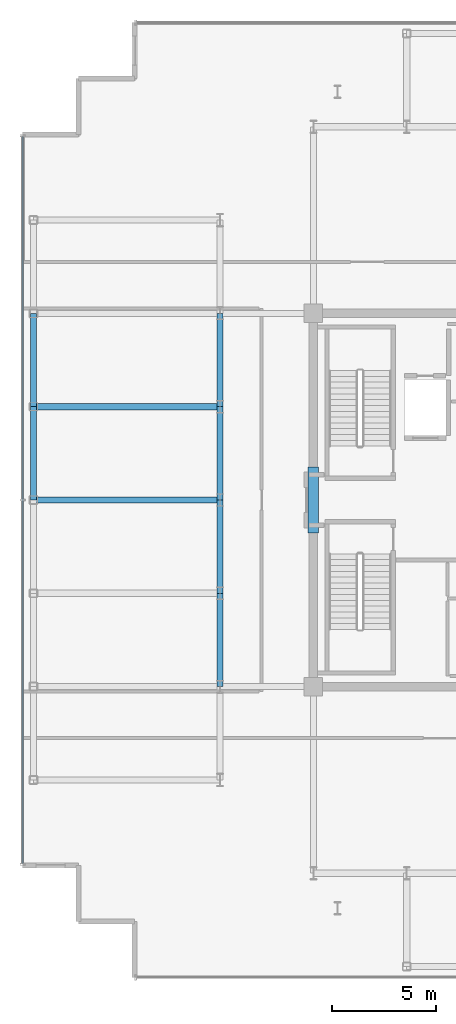
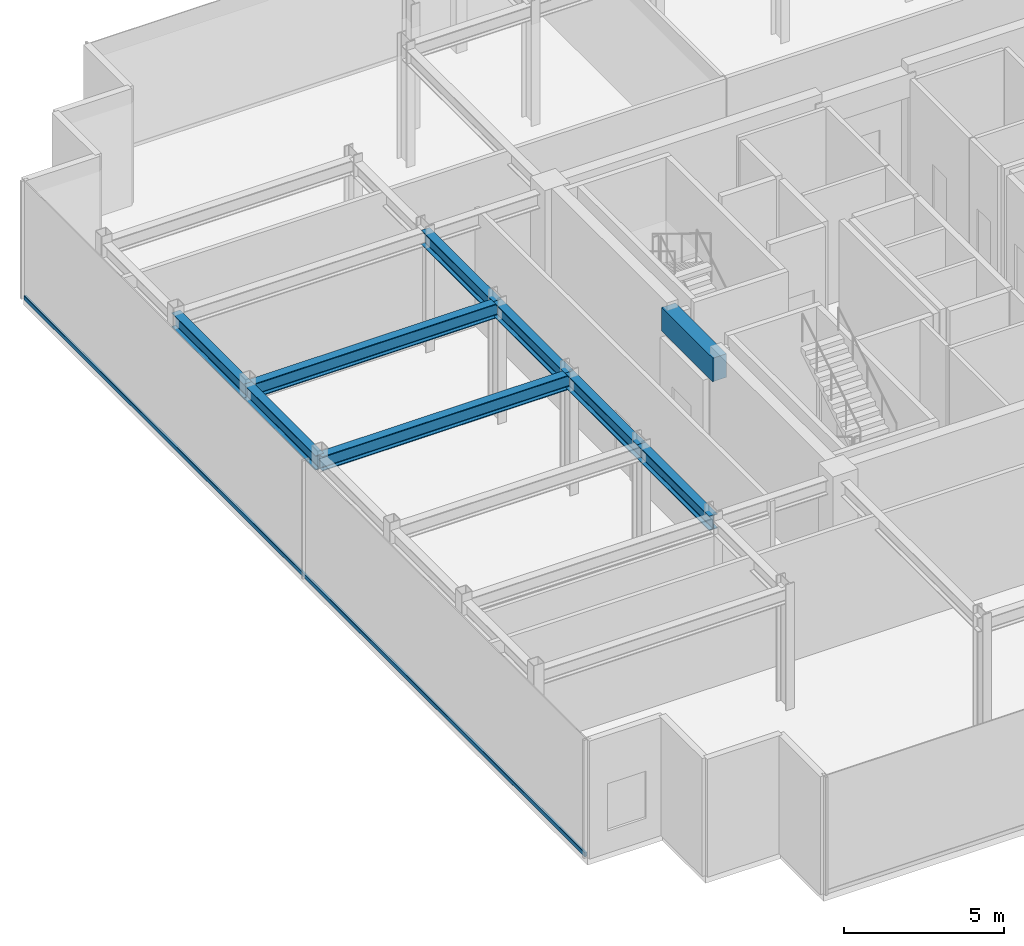
# One storey, part 5 of 17: 9 beams, 1 member, 1 element without a shape of its own.
"""IFC4 building model written with IfcOpenShell, lengths in metres."""

import ifcopenshell
import ifcopenshell.guid

model = None  # the IFC model being written
_history = None  # IfcOwnerHistory: only IFC2X3 demands one
_inside = {}  # id of a spatial element -> (the spatial element, [elements in it])
_under = {}  # id of a project, library or spatial element -> (it, [spatial elements below it])
_declared = {}  # id of a project -> (the project, [libraries it declares])
_typed = {}  # id of a type object -> (the type object, [elements of that type])
_made_of = {}  # id of a material, layer set ... -> (it, [elements and type objects made of it])


def new_model(schema):
    """Start an empty IFC model of exactly this schema.

    Asked for "IFC4X3", IfcOpenShell would pick the latest addendum, in which some entities
    have other attributes; the version numbers below select the first issue.
    IFC2X3 requires an IfcOwnerHistory on every rooted entity: one is made here for all.
    """
    global model, _history
    if schema == "IFC4X3":
        model = ifcopenshell.file(schema_version=(4, 3, 0, 0))
    else:
        model = ifcopenshell.file(schema=schema)
    _inside.clear()
    _under.clear()
    _declared.clear()
    _typed.clear()
    _made_of.clear()
    _history = None
    if model.schema == "IFC2X3":
        org = make("IfcOrganization", Name="unknown")
        user = make(
            "IfcPersonAndOrganization",
            ThePerson=make("IfcPerson", FamilyName="unknown"),
            TheOrganization=org,
        )
        app = make(
            "IfcApplication",
            ApplicationDeveloper=org,
            Version="unknown",
            ApplicationFullName="unknown",
            ApplicationIdentifier="unknown",
        )
        _history = make(
            "IfcOwnerHistory",
            OwningUser=user,
            OwningApplication=app,
            ChangeAction="ADDED",
            CreationDate=0,
        )
    return model


def make(cls, **values):
    """One entity of the class cls with the attributes given. An attribute that is None is left unset."""
    return model.create_entity(
        cls, **{name: value for name, value in values.items() if value is not None}
    )


def rooted(cls, **values):
    """An entity with a GlobalId (a new one), such as an element, a storey or a relation."""
    return make(cls, GlobalId=ifcopenshell.guid.new(), OwnerHistory=_history, **values)


def si_unit(unit_type, name, prefix=None):
    """IfcSIUnit, for example si_unit("LENGTHUNIT", "METRE", prefix="MILLI")."""
    return make("IfcSIUnit", UnitType=unit_type, Prefix=prefix, Name=name)


def assignment(units):
    """IfcUnitAssignment: the units of a project."""
    return None if units is None else make("IfcUnitAssignment", Units=units)


def point(xyz):
    """IfcCartesianPoint."""
    return None if xyz is None else make("IfcCartesianPoint", Coordinates=xyz)


def direction(xyz):
    """IfcDirection."""
    return None if xyz is None else make("IfcDirection", DirectionRatios=xyz)


def frame(location, z_axis=None, x_axis=None):
    """IfcAxis2Placement3D, a coordinate frame: its origin and axes. An axis left out is left unset."""
    return make(
        "IfcAxis2Placement3D",
        Location=point(location),
        Axis=direction(z_axis),
        RefDirection=direction(x_axis),
    )


def frame_2d(location, x_axis=None):
    """IfcAxis2Placement2D, a coordinate frame in the plane: its origin and x axis."""
    return make(
        "IfcAxis2Placement2D", Location=point(location), RefDirection=direction(x_axis)
    )


def origin():
    """The frame at (0, 0, 0) with its axes left unset."""
    return frame((0.0, 0.0, 0.0))


def origin_2d():
    """The frame at (0, 0) in the plane with its x axis left unset."""
    return frame_2d((0.0, 0.0))


def place(relative_to, where):
    """IfcLocalPlacement: puts the frame where relative to a parent placement (None: the world)."""
    return make(
        "IfcLocalPlacement", PlacementRelTo=relative_to, RelativePlacement=where
    )


def context(
    kind, dimensions, precision=None, world=None, true_north=None, identifier=None
):
    """IfcGeometricRepresentationContext, for example the 3D "Model" context."""
    return make(
        "IfcGeometricRepresentationContext",
        ContextIdentifier=identifier,
        ContextType=kind,
        CoordinateSpaceDimension=dimensions,
        Precision=precision,
        WorldCoordinateSystem=world,
        TrueNorth=true_north,
    )


def subcontext(parent, identifier, kind, view, scale=None):
    """IfcGeometricRepresentationSubContext, for example "Body" below "Model"."""
    return make(
        "IfcGeometricRepresentationSubContext",
        ContextIdentifier=identifier,
        ContextType=kind,
        ParentContext=parent,
        TargetScale=scale,
        TargetView=view,
    )


def project(units=None, contexts=None):
    """IfcProject with its units and contexts."""
    return rooted(
        "IfcProject",
        Name="project",
        RepresentationContexts=contexts,
        UnitsInContext=assignment(units),
    )


def spatial(cls, under=None, at=None, **own):
    """A site, building, storey or space (cls), placed at a placement, below another one or the project."""
    s = rooted(cls, ObjectPlacement=at, **own)
    if under is not None:
        _under.setdefault(under.id(), (under, []))[1].append(s)
    return s


def profile(cls, at=None, kind="AREA", **sizes):
    """A parametric profile (cls). Its sizes go by their IFC names, for example OverallWidth=200.0."""
    return make(cls, ProfileType=kind, Position=at, **sizes)


def rectangle(**sizes):
    """IfcRectangleProfileDef."""
    return profile("IfcRectangleProfileDef", **sizes)


def hollow_rectangle(**sizes):
    """IfcRectangleHollowProfileDef."""
    return profile("IfcRectangleHollowProfileDef", **sizes)


def i_section(**sizes):
    """IfcIShapeProfileDef."""
    return profile("IfcIShapeProfileDef", **sizes)


def extrude(swept, where, along, depth):
    """IfcExtrudedAreaSolid: the profile swept, set in the frame where, extruded along a direction by depth."""
    return make(
        "IfcExtrudedAreaSolid",
        SweptArea=swept,
        Position=where,
        ExtrudedDirection=direction(along),
        Depth=depth,
    )


def shape(context_of_items, identifier, shape_type, items):
    """IfcShapeRepresentation: the items that make up one representation, for example the "Body"."""
    return make(
        "IfcShapeRepresentation",
        ContextOfItems=context_of_items,
        RepresentationIdentifier=identifier,
        RepresentationType=shape_type,
        Items=items,
    )


def source(mapping_origin, context_of_items, identifier, shape_type, items):
    """IfcRepresentationMap: a shape defined once, which mapped items show again and again."""
    return make(
        "IfcRepresentationMap",
        MappingOrigin=mapping_origin,
        MappedRepresentation=shape(context_of_items, identifier, shape_type, items),
    )


def transform(
    local_origin,
    x_axis=None,
    y_axis=None,
    z_axis=None,
    scale=None,
    scale2=None,
    scale3=None,
    uniform=True,
):
    """IfcCartesianTransformationOperator3D, or its non-uniform kind. x_axis, y_axis, z_axis: its Axis1, 2, 3."""
    if uniform:
        return make(
            "IfcCartesianTransformationOperator3D",
            Axis1=direction(x_axis),
            Axis2=direction(y_axis),
            LocalOrigin=point(local_origin),
            Scale=scale,
            Axis3=direction(z_axis),
        )
    return make(
        "IfcCartesianTransformationOperator3DnonUniform",
        Axis1=direction(x_axis),
        Axis2=direction(y_axis),
        LocalOrigin=point(local_origin),
        Scale=scale,
        Axis3=direction(z_axis),
        Scale2=scale2,
        Scale3=scale3,
    )


def mapped(mapping_source, mapping_target):
    """IfcMappedItem: shows the shape of a source again, moved by a transform."""
    return make(
        "IfcMappedItem", MappingSource=mapping_source, MappingTarget=mapping_target
    )


def material(Name=None, Category=None):
    """IfcMaterial."""
    return make("IfcMaterial", Name=Name, Category=Category)


def layer(
    of_material, thickness, ventilated=None, Name=None, Category=None, Priority=None
):
    """IfcMaterialLayer: one layer of a wall or slab, of a material (None: an air gap)."""
    return make(
        "IfcMaterialLayer",
        Material=of_material,
        LayerThickness=thickness,
        IsVentilated=ventilated,
        Name=Name,
        Category=Category,
        Priority=Priority,
    )


def layer_set(layers, Name=None):
    """IfcMaterialLayerSet."""
    return make("IfcMaterialLayerSet", MaterialLayers=layers, LayerSetName=Name)


def material_profile(
    of_material, cross_section, Name=None, Category=None, Priority=None
):
    """IfcMaterialProfile: a cross section and its material."""
    return make(
        "IfcMaterialProfile",
        Name=Name,
        Material=of_material,
        Profile=cross_section,
        Priority=Priority,
        Category=Category,
    )


def profile_set(profiles, Name=None, composite=None):
    """IfcMaterialProfileSet."""
    return make(
        "IfcMaterialProfileSet",
        Name=Name,
        MaterialProfiles=profiles,
        CompositeProfile=composite,
    )


def made_of(thing, what):
    """Note that an element or type object is made of a material, layer set ...; save() writes the relation."""
    if what is not None:
        _made_of.setdefault(what.id(), (what, []))[1].append(thing)
    return thing


def type_object(cls, material=None, **own):
    """A type object (cls), such as IfcWallType, which elements share."""
    return made_of(rooted(cls, **own), material)


def element(
    cls,
    number,
    at=None,
    inside=None,
    cuts=None,
    type_object=None,
    material=None,
    context=None,
    identifier="Body",
    shape_type=None,
    held_by="IfcProductDefinitionShape",
    body=None,
    shapes=None,
    **own,
):
    """One element of the class cls, such as IfcWall. Its Tag is "e" and its number.

    at: its placement. inside: the storey or other place that contains it. cuts: it is an
    opening in that element (IfcRelVoidsElement). A single representation is given by context,
    identifier, shape_type and body (its items); several are given by shapes. held_by: the class
    of the entity that holds the representations. save() writes the other relations.
    """
    e = rooted(cls, Tag="e%d" % number, ObjectPlacement=at, **own)
    if body is not None:
        shapes = [shape(context, identifier, shape_type, body)]
    if shapes is not None:
        e.Representation = make(held_by, Representations=shapes)
    if inside is not None:
        _inside.setdefault(inside.id(), (inside, []))[1].append(e)
    if cuts is not None:
        rooted(
            "IfcRelVoidsElement", RelatingBuildingElement=cuts, RelatedOpeningElement=e
        )
    if type_object is not None:
        _typed.setdefault(type_object.id(), (type_object, []))[1].append(e)
    return made_of(e, material)


def aggregate(whole, parts):
    """IfcRelAggregates: a whole, such as a stair, and the parts it consists of."""
    return rooted("IfcRelAggregates", RelatingObject=whole, RelatedObjects=parts)


def save(model, path):
    """Write the relations noted so far, then the file.

    IfcRelAggregates (storeys below a building ...), IfcRelContainedInSpatialStructure (elements
    in a storey), IfcRelDefinesByType, IfcRelAssociatesMaterial and IfcRelDeclares: one each for
    every whole, place, type object, material and project.
    """
    for whole, parts in _under.values():
        aggregate(whole, parts)
    for where, things in _inside.values():
        rooted(
            "IfcRelContainedInSpatialStructure",
            RelatedElements=things,
            RelatingStructure=where,
        )
    for kind, things in _typed.values():
        rooted("IfcRelDefinesByType", RelatedObjects=things, RelatingType=kind)
    for what, things in _made_of.values():
        rooted("IfcRelAssociatesMaterial", RelatedObjects=things, RelatingMaterial=what)
    for by, libraries in _declared.values():
        rooted("IfcRelDeclares", RelatingContext=by, RelatedDefinitions=libraries)
    model.write(path)


model = new_model("IFC4")

# Units and contexts
model_context = context("Model", 3, precision=1e-05, world=origin(), true_north=direction((0.0, 1.0)))
body_context = subcontext(model_context, "Body", "Model", "MODEL_VIEW")
ifc_project = project(units=[si_unit("LENGTHUNIT", "METRE"), si_unit("AREAUNIT", "SQUARE_METRE"), si_unit("VOLUMEUNIT", "CUBIC_METRE"), si_unit("PLANEANGLEUNIT", "RADIAN"), si_unit("MASSUNIT", "GRAM", prefix="KILO")], contexts=[model_context])

# Site, building, storey
site_placement = place(None, origin())
site = spatial("IfcSite", under=ifc_project, at=site_placement, CompositionType="ELEMENT")
building_placement = place(site_placement, origin())
building = spatial("IfcBuilding", under=site, at=building_placement, Name="Nefas-Gora Pilgrimage Tower", CompositionType="ELEMENT")
storey_placement = place(building_placement, frame((0.0, 0.0, 349.0)))
storey = spatial("IfcBuildingStorey", under=building, at=storey_placement, Name="L88", CompositionType="ELEMENT", Elevation=349.0)

# Beams
ifc_material_1 = material(Name="Concrete C50/60", Category="concrete")
ifc_material_profile_1 = material_profile(ifc_material_1, rectangle(XDim=0.5, YDim=0.89990234375, at=origin_2d()), Name="RC 500x900")
ifc_profile_set_1 = profile_set([ifc_material_profile_1], Name="Concrete C50/60")
beam_type_1 = type_object("IfcBeamType", Name="BM-LIN-RC900", PredefinedType="LINTEL", material=ifc_profile_set_1)
shared_shape_1 = source(origin(), body_context, "Body", "SweptSolid", [
    extrude(rectangle(XDim=0.5, YDim=0.89990234375, at=origin_2d()), origin(), (0.0, 0.0, 1.0), 3.2001953125),
])
beam_placement = place(storey_placement, frame((-11.25, -1.60009765625, 4.050048828125), z_axis=(0.0, 1.0, 0.0), x_axis=(-1.0, 0.0, 0.0)))
element("IfcBeam", 1, at=beam_placement, inside=storey, type_object=beam_type_1, Name="L88 Core Coupling Lintel Beam W", PredefinedType="LINTEL", context=body_context, shape_type="MappedRepresentation", body=[
    mapped(shared_shape_1, transform((0.0, 0.0, 0.0), x_axis=(1.0, 0.0, 0.0), y_axis=(0.0, 1.0, 0.0), z_axis=(0.0, 0.0, 1.0), scale=1.0)),
])
ifc_material_2 = material(Name="Steel S355", Category="steel")
ifc_material_profile_2 = material_profile(ifc_material_2, i_section(OverallWidth=0.300048828125, OverallDepth=0.550048828125, WebThickness=0.014892578125, FlangeThickness=0.029052734375, FilletRadius=0.027099609375, at=origin_2d()), Name="HEB 550")
ifc_profile_set_2 = profile_set([ifc_material_profile_2], Name="Steel S355")
beam_type_2 = type_object("IfcBeamType", Name="BM-SPN-HEB400", PredefinedType="SPANDREL", material=ifc_profile_set_2)
shared_shape_2 = source(origin(), body_context, "Body", "SweptSolid", [
    extrude(i_section(OverallWidth=0.300048828125, OverallDepth=0.550048828125, WebThickness=0.014892578125, FlangeThickness=0.029052734375, FilletRadius=0.027099609375, at=origin_2d()), origin(), (0.0, 0.0, 1.0), 4.5),
])
for number, where, z_axis, x_axis, name in (
    (2, (-24.75, 0.0, 4.22509765625), (0.0, 1.0, 0.0), (-1.0, 0.0, 0.0), "L88 SP-04 beam"),
    (3, (-24.75, 4.5, 4.22509765625), (0.0, 1.0, 0.0), (-1.0, 0.0, 0.0), "L88 SP-04 beam"),
):
    element("IfcBeam", number, at=place(storey_placement, frame(where, z_axis=z_axis, x_axis=x_axis)), inside=storey, type_object=beam_type_2, Name=name, PredefinedType="SPANDREL", context=body_context, shape_type="MappedRepresentation", body=[
        mapped(shared_shape_2, transform((0.0, 0.0, 0.0), x_axis=(1.0, 0.0, 0.0), y_axis=(0.0, 1.0, 0.0), z_axis=(0.0, 0.0, 1.0), scale=1.0)),
    ])
ifc_material_profile_3 = material_profile(ifc_material_2, i_section(OverallWidth=0.300048828125, OverallDepth=0.550048828125, WebThickness=0.014892578125, FlangeThickness=0.029052734375, FilletRadius=0.027099609375, at=origin_2d()), Name="HEB 550")
ifc_profile_set_3 = profile_set([ifc_material_profile_3], Name="Steel S355")
beam_type_3 = type_object("IfcBeamType", Name="BM-GIR-HEB550", PredefinedType="BEAM", material=ifc_profile_set_3)
shared_shape_3 = source(origin(), body_context, "Body", "SweptSolid", [
    extrude(i_section(OverallWidth=0.300048828125, OverallDepth=0.550048828125, WebThickness=0.014892578125, FlangeThickness=0.029052734375, FilletRadius=0.027099609375, at=origin_2d()), origin(), (0.0, 0.0, 1.0), 9.0),
])
for number, where, z_axis, x_axis, name in (
    (4, (-24.75, 0.0, 4.22509765625), (1.0, 0.0, 0.0), (0.0, 1.0, 0.0), "L88 G-05 beam"),
    (5, (-24.75, 4.5, 4.22509765625), (1.0, 0.0, 0.0), (0.0, 1.0, 0.0), "L88 G-05 beam"),
):
    element("IfcBeam", number, at=place(storey_placement, frame(where, z_axis=z_axis, x_axis=x_axis)), inside=storey, type_object=beam_type_3, Name=name, PredefinedType="BEAM", context=body_context, shape_type="MappedRepresentation", body=[
        mapped(shared_shape_3, transform((0.0, 0.0, 0.0), x_axis=(1.0, 0.0, 0.0), y_axis=(0.0, 1.0, 0.0), z_axis=(0.0, 0.0, 1.0), scale=1.0)),
    ])
shared_shape_4 = source(origin(), body_context, "Body", "SweptSolid", [
    extrude(i_section(OverallWidth=0.300048828125, OverallDepth=0.550048828125, WebThickness=0.014892578125, FlangeThickness=0.029052734375, FilletRadius=0.027099609375, at=origin_2d()), origin(), (0.0, 0.0, 1.0), 4.5),
])
for number, where, z_axis, x_axis, name in (
    (6, (-15.75, -9.0, 4.22509765625), (0.0, 1.0, 0.0), (-1.0, 0.0, 0.0), "L88 G-05 beam"),
    (7, (-15.75, -4.5, 4.22509765625), (0.0, 1.0, 0.0), (-1.0, 0.0, 0.0), "L88 G-05 beam"),
    (8, (-15.75, 0.0, 4.22509765625), (0.0, 1.0, 0.0), (-1.0, 0.0, 0.0), "L88 G-05 beam"),
    (9, (-15.75, 4.5, 4.22509765625), (0.0, 1.0, 0.0), (-1.0, 0.0, 0.0), "L88 G-05 beam"),
):
    element("IfcBeam", number, at=place(storey_placement, frame(where, z_axis=z_axis, x_axis=x_axis)), inside=storey, type_object=beam_type_3, Name=name, PredefinedType="BEAM", context=body_context, shape_type="MappedRepresentation", body=[
        mapped(shared_shape_4, transform((0.0, 0.0, 0.0), x_axis=(1.0, 0.0, 0.0), y_axis=(0.0, 1.0, 0.0), z_axis=(0.0, 0.0, 1.0), scale=1.0)),
    ])

# Curtain wall, member
ifc_material_3 = material(Name="Dark ceramic-fritted solar-control aluminium-glass curtain wall", Category="aluminium")
ifc_layer = layer(ifc_material_3, 0.219970703125)
ifc_layer_set = layer_set([ifc_layer], Name="Dark ceramic-fritted solar-control aluminium-glass curtain wall")
curtain_wall_type = type_object("IfcCurtainWallType", Name="CW-SYS-6", PredefinedType="NOTDEFINED", material=ifc_layer_set)
curtain_wall_placement = place(storey_placement, origin())
curtain_wall = element("IfcCurtainWall", 10, at=curtain_wall_placement, inside=storey, type_object=curtain_wall_type, Name="L88 Unitised Curtain Wall CW6", PredefinedType="NOTDEFINED")
ifc_material_4 = material(Name="Anodised architectural aluminium", Category="aluminium")
ifc_material_profile_4 = material_profile(ifc_material_4, hollow_rectangle(XDim=0.080078125, YDim=0.159912109375, WallThickness=0.00439453125, InnerFilletRadius=0.00439453125, OuterFilletRadius=0.009033203125, at=origin_2d()), Name="ALU TRANSOM 80x160")
ifc_profile_set_4 = profile_set([ifc_material_profile_4], Name="Anodised architectural aluminium")
member_type = type_object("IfcMemberType", Name="CWM-TRN-6", PredefinedType="USERDEFINED", material=ifc_profile_set_4)
shared_shape_5 = source(origin(), body_context, "Body", "SweptSolid", [
    extrude(hollow_rectangle(XDim=0.080078125, YDim=0.159912109375, WallThickness=0.00439453125, InnerFilletRadius=0.00439453125, OuterFilletRadius=0.009033203125, at=origin_2d()), origin(), (0.0, 0.0, 1.0), 35.06005859375),
])
member_placement = place(storey_placement, frame((-25.27001953125, 17.530029296875, 0.050048828125), z_axis=(0.0, -1.0, 0.0), x_axis=(1.0, 0.0, 0.0)))
member = element("IfcMember", 11, at=member_placement, type_object=member_type, Name="CW6 Spandrel Transom", ObjectType="TRANSOM", PredefinedType="USERDEFINED", context=body_context, shape_type="MappedRepresentation", body=[
    mapped(shared_shape_5, transform((0.0, 0.0, 0.0), x_axis=(1.0, 0.0, 0.0), y_axis=(0.0, 1.0, 0.0), z_axis=(0.0, 0.0, 1.0), scale=1.0)),
])
aggregate(curtain_wall, [member])

save(model, "model.ifc")
